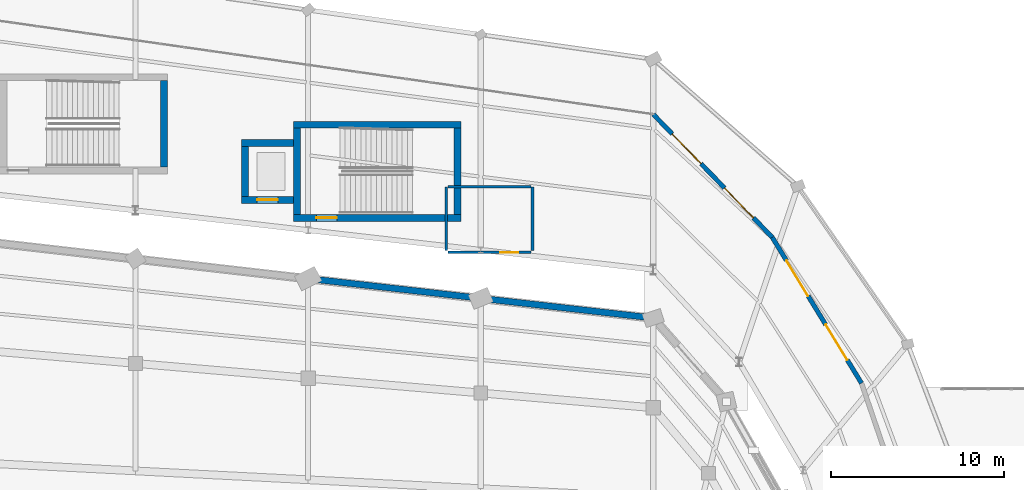
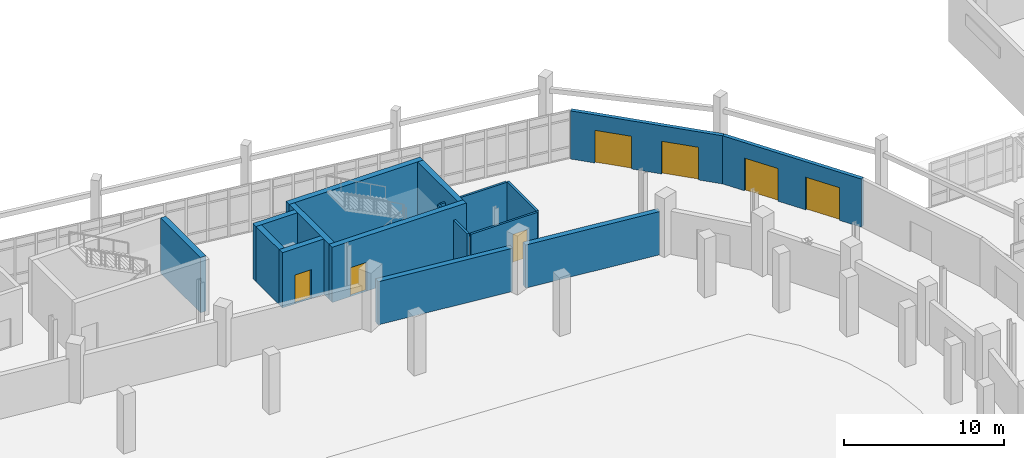
# One storey, part 109 of 122: 16 walls, 7 doors, 7 openings.
"""IFC4 building model written with IfcOpenShell, lengths in metres."""

from ifc_helpers import new_model, si_unit, direction, frame, frame_2d, origin, place, context, subcontext, project, spatial, rectangle, extrude, material, layer, layer_set, type_object, element, fill, save


model = new_model("IFC4")

# Units and contexts
model_context = context("Model", 3, precision=1e-05, world=origin(), true_north=direction((0.0, 1.0)))
body_context = subcontext(model_context, "Body", "Model", "MODEL_VIEW")
ifc_project = project(units=[si_unit("LENGTHUNIT", "METRE"), si_unit("AREAUNIT", "SQUARE_METRE"), si_unit("VOLUMEUNIT", "CUBIC_METRE"), si_unit("PLANEANGLEUNIT", "RADIAN"), si_unit("MASSUNIT", "GRAM", prefix="KILO")], contexts=[model_context])

# Site, building, storey
site_placement = place(None, origin())
site = spatial("IfcSite", under=ifc_project, at=site_placement, CompositionType="ELEMENT")
building_placement = place(site_placement, origin())
building = spatial("IfcBuilding", under=site, at=building_placement, Name="Sohan Crest Arena", CompositionType="ELEMENT")
storey_placement = place(building_placement, origin())
storey = spatial("IfcBuildingStorey", under=building, at=storey_placement, Name="L00", CompositionType="ELEMENT", Elevation=0.0)

# Wall, openings, doors
ifc_material_1 = material(Name="Margalla limestone ashlar envelope wall", Category="masonry")
ifc_layer_1 = layer(ifc_material_1, 0.260009765625, Name="Margalla limestone ashlar envelope wall")
ifc_layer_set_1 = layer_set([ifc_layer_1], Name="Margalla limestone ashlar envelope wall")
wall_type_1 = type_object("IfcWallType", Name="WAL-EW01", PredefinedType="SOLIDWALL", material=ifc_layer_set_1)
wall_1_placement = place(storey_placement, frame((180.06298828125, 97.22607421875, 0.0), z_axis=(0.0, 0.0, 1.0), x_axis=(-0.522040848649, 0.852920484185, 0.0)))
wall_1 = element("IfcWall", 1, at=wall_1_placement, inside=storey, type_object=wall_type_1, Name="External wall EW-085", PredefinedType="SOLIDWALL", context=body_context, shape_type="SweptSolid", body=[
    extrude(rectangle(XDim=9.909423828125, YDim=0.260009765625, at=frame_2d((4.95458984375, 0.0))), origin(), (0.0, 0.0, 1.0), 3.679931640625),
])
opening_1_placement = place(wall_1_placement, frame((1.574951171875, 0.0, 0.0)))
opening_1 = element("IfcOpeningElement", 2, at=opening_1_placement, cuts=wall_1, Name="Opening G17", PredefinedType="OPENING", context=body_context, shape_type="SweptSolid", body=[
    extrude(rectangle(XDim=2.39990234375, YDim=2.5, at=frame_2d((1.199951171875, 1.25))), frame((0.0, 0.139892578125, 0.0), z_axis=(0.0, -1.0, 0.0), x_axis=(1.0, 0.0, 0.0)), (0.0, 0.0, 1.0), 0.280029296875),
])
opening_2_placement = place(wall_1_placement, frame((5.93505859375, 0.0, 0.0)))
opening_2 = element("IfcOpeningElement", 3, at=opening_2_placement, cuts=wall_1, Name="Opening G18", PredefinedType="OPENING", context=body_context, shape_type="SweptSolid", body=[
    extrude(rectangle(XDim=2.39990234375, YDim=2.5, at=frame_2d((1.199951171875, 1.25))), frame((0.0, 0.139892578125, 0.0), z_axis=(0.0, -1.0, 0.0), x_axis=(1.0, 0.0, 0.0)), (0.0, 0.0, 1.0), 0.280029296875),
])
ifc_material_2 = material(Name="Galvanised steel acoustic final exit door", Category="steel")
door_type_1 = type_object("IfcDoorType", Name="DR-G01", OperationType="DOUBLE_DOOR_SINGLE_SWING", PredefinedType="DOOR", material=ifc_material_2)
door_1_placement = place(opening_1_placement, frame((2.39990234375, 0.0, 0.0), z_axis=(0.0, 0.0, 1.0), x_axis=(-1.0, 0.0, 0.0)))
door_1 = element("IfcDoor", 4, at=door_1_placement, inside=storey, type_object=door_type_1, Name="Pedestrian exit gate G17", OperationType="DOUBLE_DOOR_SINGLE_SWING", OverallHeight=2.5, OverallWidth=2.39990234375, PredefinedType="DOOR", context=body_context, shape_type="SweptSolid", body=[
    extrude(rectangle(XDim=2.39990234375, YDim=2.5, at=frame_2d((1.199951171875, 1.25))), frame((0.0, 0.02490234375, 0.0), z_axis=(0.0, -1.0, 0.0), x_axis=(1.0, 0.0, 0.0)), (0.0, 0.0, 1.0), 0.050048828125),
])
fill(opening_1, door_1)
door_2_placement = place(opening_2_placement, frame((2.39990234375, 0.0, 0.0), z_axis=(0.0, 0.0, 1.0), x_axis=(-1.0, 0.0, 0.0)))
door_2 = element("IfcDoor", 5, at=door_2_placement, inside=storey, type_object=door_type_1, Name="Pedestrian exit gate G18", OperationType="DOUBLE_DOOR_SINGLE_SWING", OverallHeight=2.5, OverallWidth=2.39990234375, PredefinedType="DOOR", context=body_context, shape_type="SweptSolid", body=[
    extrude(rectangle(XDim=2.39990234375, YDim=2.5, at=frame_2d((1.199951171875, 1.25))), frame((0.0, 0.02490234375, 0.0), z_axis=(0.0, -1.0, 0.0), x_axis=(1.0, 0.0, 0.0)), (0.0, 0.0, 1.0), 0.050048828125),
])
fill(opening_2, door_2)

wall_2_placement = place(storey_placement, frame((174.889892578125, 105.677978515625, 0.0), z_axis=(0.0, 0.0, 1.0), x_axis=(-0.695294601794, 0.718724854667, 0.0)))
wall_2 = element("IfcWall", 6, at=wall_2_placement, inside=storey, type_object=wall_type_1, Name="External wall EW-086", PredefinedType="SOLIDWALL", context=body_context, shape_type="SweptSolid", body=[
    extrude(rectangle(XDim=9.909423828125, YDim=0.260009765625, at=frame_2d((4.95458984375, 0.0))), origin(), (0.0, 0.0, 1.0), 3.679931640625),
])
opening_3_placement = place(wall_2_placement, frame((1.574951171875, 0.0, 0.0)))
opening_3 = element("IfcOpeningElement", 7, at=opening_3_placement, cuts=wall_2, Name="Opening G19", PredefinedType="OPENING", context=body_context, shape_type="SweptSolid", body=[
    extrude(rectangle(XDim=2.39990234375, YDim=2.5, at=frame_2d((1.199951171875, 1.25))), frame((0.0, 0.139892578125, 0.0), z_axis=(0.0, -1.0, 0.0), x_axis=(1.0, 0.0, 0.0)), (0.0, 0.0, 1.0), 0.280029296875),
])
opening_4_placement = place(wall_2_placement, frame((5.93505859375, 0.0, 0.0)))
opening_4 = element("IfcOpeningElement", 8, at=opening_4_placement, cuts=wall_2, Name="Opening G20", PredefinedType="OPENING", context=body_context, shape_type="SweptSolid", body=[
    extrude(rectangle(XDim=2.39990234375, YDim=2.5, at=frame_2d((1.199951171875, 1.25))), frame((0.0, 0.139892578125, 0.0), z_axis=(0.0, -1.0, 0.0), x_axis=(1.0, 0.0, 0.0)), (0.0, 0.0, 1.0), 0.280029296875),
])
door_3_placement = place(opening_3_placement, frame((2.39990234375, 0.0, 0.0), z_axis=(0.0, 0.0, 1.0), x_axis=(-1.0, 0.0, 0.0)))
door_3 = element("IfcDoor", 9, at=door_3_placement, inside=storey, type_object=door_type_1, Name="Pedestrian exit gate G19", OperationType="DOUBLE_DOOR_SINGLE_SWING", OverallHeight=2.5, OverallWidth=2.39990234375, PredefinedType="DOOR", context=body_context, shape_type="SweptSolid", body=[
    extrude(rectangle(XDim=2.39990234375, YDim=2.5, at=frame_2d((1.199951171875, 1.25))), frame((0.0, 0.02490234375, 0.0), z_axis=(0.0, -1.0, 0.0), x_axis=(1.0, 0.0, 0.0)), (0.0, 0.0, 1.0), 0.050048828125),
])
fill(opening_3, door_3)
door_4_placement = place(opening_4_placement, frame((2.39990234375, 0.0, 0.0), z_axis=(0.0, 0.0, 1.0), x_axis=(-1.0, 0.0, 0.0)))
door_4 = element("IfcDoor", 10, at=door_4_placement, inside=storey, type_object=door_type_1, Name="Pedestrian exit gate G20", OperationType="DOUBLE_DOOR_SINGLE_SWING", OverallHeight=2.5, OverallWidth=2.39990234375, PredefinedType="DOOR", context=body_context, shape_type="SweptSolid", body=[
    extrude(rectangle(XDim=2.39990234375, YDim=2.5, at=frame_2d((1.199951171875, 1.25))), frame((0.0, 0.02490234375, 0.0), z_axis=(0.0, -1.0, 0.0), x_axis=(1.0, 0.0, 0.0)), (0.0, 0.0, 1.0), 0.050048828125),
])
fill(opening_4, door_4)

# Walls
ifc_material_3 = material(Name="Acoustic insulated bowl drum enclosure wall", Category="masonry")
ifc_layer_2 = layer(ifc_material_3, 0.3701171875, Name="Acoustic insulated bowl drum enclosure wall")
ifc_layer_set_2 = layer_set([ifc_layer_2], Name="Acoustic insulated bowl drum enclosure wall")
wall_type_2 = type_object("IfcWallType", Name="WAL-EW05", PredefinedType="SOLIDWALL", material=ifc_layer_set_2)
for number, where, z_axis, x_axis, name in (
    (11, (167.56298828125, 101.050048828125, 0.0), (0.0, 0.0, 1.0), (-0.993532672656, 0.113546591161, 0.0), "Acoustic bowl drum wall BW-L00-28"),
    (12, (157.56298828125, 102.193115234375, 0.0), (0.0, 0.0, 1.0), (-0.993532672656, 0.113546591161, 0.0), "Acoustic bowl drum wall BW-L00-29"),
):
    element("IfcWall", number, at=place(storey_placement, frame(where, z_axis=z_axis, x_axis=x_axis)), inside=storey, type_object=wall_type_2, Name=name, PredefinedType="SOLIDWALL", context=body_context, shape_type="SweptSolid", body=[
        extrude(rectangle(XDim=9.185302734375, YDim=0.3701171875, at=frame_2d((4.5927734375, 0.0))), origin(), (0.0, 0.0, 1.0), 3.300048828125),
    ])
ifc_material_4 = material(Name="Wet-area moisture-resistant masonry partition", Category="masonry")
ifc_layer_3 = layer(ifc_material_4, 0.14990234375, Name="Wet-area moisture-resistant masonry partition")
ifc_layer_set_3 = layer_set([ifc_layer_3], Name="Wet-area moisture-resistant masonry partition")
wall_type_3 = type_object("IfcWallType", Name="WAL-PW03", PredefinedType="PARTITIONING", material=ifc_layer_set_3)
for number, where, z_axis, x_axis, name in (
    (13, (156.0, 104.89990234375, 0.0), (0.0, 0.0, 1.0), (0.0, 1.0, 0.0), "Interior partition wall PW-0838"),
    (14, (161.0, 104.89990234375, 0.0), (0.0, 0.0, 1.0), (0.0, 1.0, 0.0), "Interior partition wall PW-0839"),
):
    element("IfcWall", number, at=place(storey_placement, frame(where, z_axis=z_axis, x_axis=x_axis)), inside=storey, type_object=wall_type_3, Name=name, PredefinedType="PARTITIONING", context=body_context, shape_type="SweptSolid", body=[
        extrude(rectangle(XDim=3.7001953125, YDim=0.14990234375, at=frame_2d((1.85009765625, 0.0))), origin(), (0.0, 0.0, 1.0), 3.219970703125),
    ])
wall_3_placement = place(storey_placement, frame((156.10009765625, 108.60009765625, 0.0), z_axis=(0.0, 0.0, 1.0), x_axis=(1.0, 0.0, 0.0)))
element("IfcWall", 15, at=wall_3_placement, inside=storey, type_object=wall_type_3, Name="Interior partition wall PW-0840", PredefinedType="PARTITIONING", context=body_context, shape_type="SweptSolid", body=[
    extrude(rectangle(XDim=4.7998046875, YDim=0.14990234375, at=frame_2d((2.39990234375, 0.0))), origin(), (0.0, 0.0, 1.0), 3.219970703125),
])

# Wall, opening, door
wall_4_placement = place(storey_placement, frame((156.10009765625, 104.800048828125, 0.0), z_axis=(0.0, 0.0, 1.0), x_axis=(1.0, 0.0, 0.0)))
wall_4 = element("IfcWall", 16, at=wall_4_placement, inside=storey, type_object=wall_type_3, Name="Interior partition wall PW-0841", PredefinedType="PARTITIONING", context=body_context, shape_type="SweptSolid", body=[
    extrude(rectangle(XDim=4.7998046875, YDim=0.14990234375, at=frame_2d((2.39990234375, 0.0))), origin(), (0.0, 0.0, 1.0), 3.219970703125),
])
opening_5_placement = place(wall_4_placement, frame((3.0419921875, 0.0, 0.0)))
opening_5 = element("IfcOpeningElement", 17, at=opening_5_placement, cuts=wall_4, Name="Opening WC-0229", PredefinedType="OPENING", context=body_context, shape_type="SweptSolid", body=[
    extrude(rectangle(XDim=1.02001953125, YDim=2.14990234375, at=frame_2d((0.510009765625, 1.074951171875))), frame((0.0, 0.0849609375, 0.0), z_axis=(0.0, -1.0, 0.0), x_axis=(1.0, 0.0, 0.0)), (0.0, 0.0, 1.0), 0.169921875),
])
ifc_material_5 = material(Name="Accessible toilet and dressing room door", Category="wood")
door_type_2 = type_object("IfcDoorType", Name="DR-ID03", OperationType="NOTDEFINED", PredefinedType="DOOR", material=ifc_material_5)
door_5_placement = place(opening_5_placement, origin())
door_5 = element("IfcDoor", 18, at=door_5_placement, inside=storey, type_object=door_type_2, Name="North accessible WC door WC-0229", OperationType="SINGLE_SWING_RIGHT", OverallHeight=2.14990234375, OverallWidth=1.02001953125, PredefinedType="DOOR", context=body_context, shape_type="SweptSolid", body=[
    extrude(rectangle(XDim=1.02001953125, YDim=2.14990234375, at=frame_2d((0.510009765625, 1.074951171875))), frame((0.0, 0.02490234375, 0.0), z_axis=(0.0, -1.0, 0.0), x_axis=(1.0, 0.0, 0.0)), (0.0, 0.0, 1.0), 0.050048828125),
])
fill(opening_5, door_5)

# Walls
ifc_material_6 = material(Name="Concrete C40/50", Category="concrete")
ifc_layer_4 = layer(ifc_material_6, 0.39990234375, Name="Concrete C40/50")
ifc_layer_set_4 = layer_set([ifc_layer_4], Name="Concrete C40/50")
wall_type_4 = type_object("IfcWallType", Name="WAL-SW03", PredefinedType="SHEAR", material=ifc_layer_set_4)
for number, where, z_axis, x_axis, name in (
    (19, (147.35009765625, 107.0, 0.0), (0.0, 0.0, 1.0), (0.0, 1.0, 0.0), "Core shear wall SW-0452"),
    (20, (156.64990234375, 107.0, 0.0), (0.0, 0.0, 1.0), (0.0, 1.0, 0.0), "Core shear wall SW-0453"),
):
    element("IfcWall", number, at=place(storey_placement, frame(where, z_axis=z_axis, x_axis=x_axis)), inside=storey, type_object=wall_type_4, Name=name, PredefinedType="SHEAR", context=body_context, shape_type="SweptSolid", body=[
        extrude(rectangle(XDim=5.0, YDim=0.39990234375, at=frame_2d((2.5, 0.0))), origin(), (0.0, 0.0, 1.0), 4.22509765625),
    ])

# Wall, opening, door
wall_5_placement = place(storey_placement, frame((147.14990234375, 106.800048828125, 0.0), z_axis=(0.0, 0.0, 1.0), x_axis=(1.0, 0.0, 0.0)))
wall_5 = element("IfcWall", 21, at=wall_5_placement, inside=storey, type_object=wall_type_4, Name="Core shear wall SW-0454", PredefinedType="SHEAR", context=body_context, shape_type="SweptSolid", body=[
    extrude(rectangle(XDim=9.7001953125, YDim=0.39990234375, at=frame_2d((4.85009765625, 0.0))), origin(), (0.0, 0.0, 1.0), 4.22509765625),
])
opening_6_placement = place(wall_5_placement, frame((1.320068359375, 0.0, 0.0)))
opening_6 = element("IfcOpeningElement", 22, at=opening_6_placement, cuts=wall_5, Name="Opening SD-0125", PredefinedType="OPENING", context=body_context, shape_type="SweptSolid", body=[
    extrude(rectangle(XDim=1.199951171875, YDim=2.199951171875, at=frame_2d((0.60009765625, 1.10009765625))), frame((0.0, 0.2099609375, 0.0), z_axis=(0.0, -1.0, 0.0), x_axis=(1.0, 0.0, 0.0)), (0.0, 0.0, 1.0), 0.419921875),
])
ifc_material_7 = material(Name="Fire-rated steel stair and lobby door", Category="steel")
door_type_3 = type_object("IfcDoorType", Name="DR-FD04", OperationType="NOTDEFINED", PredefinedType="DOOR", material=ifc_material_7)
door_6_placement = place(opening_6_placement, frame((1.199951171875, 0.0, 0.0), z_axis=(0.0, 0.0, 1.0), x_axis=(-1.0, 0.0, 0.0)))
door_6 = element("IfcDoor", 23, at=door_6_placement, inside=storey, type_object=door_type_3, Name="Protected stair door SD-0125", OperationType="SINGLE_SWING_RIGHT", OverallHeight=2.199951171875, OverallWidth=1.199951171875, PredefinedType="DOOR", context=body_context, shape_type="SweptSolid", body=[
    extrude(rectangle(XDim=1.199951171875, YDim=2.199951171875, at=frame_2d((0.60009765625, 1.10009765625))), frame((0.0, 0.02490234375, 0.0), z_axis=(0.0, -1.0, 0.0), x_axis=(1.0, 0.0, 0.0)), (0.0, 0.0, 1.0), 0.050048828125),
])
fill(opening_6, door_6)

# Walls
wall_6_placement = place(storey_placement, frame((147.14990234375, 112.199951171875, 0.0), z_axis=(0.0, 0.0, 1.0), x_axis=(1.0, 0.0, 0.0)))
element("IfcWall", 24, at=wall_6_placement, inside=storey, type_object=wall_type_4, Name="Core shear wall SW-0455", PredefinedType="SHEAR", context=body_context, shape_type="SweptSolid", body=[
    extrude(rectangle(XDim=9.7001953125, YDim=0.39990234375, at=frame_2d((4.85009765625, 0.0))), origin(), (0.0, 0.0, 1.0), 4.22509765625),
])
wall_7_placement = place(storey_placement, frame((144.35009765625, 108.050048828125, 0.0), z_axis=(0.0, 0.0, 1.0), x_axis=(0.0, 1.0, 0.0)))
element("IfcWall", 25, at=wall_7_placement, inside=storey, type_object=wall_type_4, Name="Core shear wall SW-0456", PredefinedType="SHEAR", context=body_context, shape_type="SweptSolid", body=[
    extrude(rectangle(XDim=2.89990234375, YDim=0.39990234375, at=frame_2d((1.449951171875, 0.0))), origin(), (0.0, 0.0, 1.0), 4.22509765625),
])

# Wall, opening, door
wall_8_placement = place(storey_placement, frame((144.14990234375, 107.85009765625, 0.0), z_axis=(0.0, 0.0, 1.0), x_axis=(1.0, 0.0, 0.0)))
wall_8 = element("IfcWall", 26, at=wall_8_placement, inside=storey, type_object=wall_type_4, Name="Core shear wall SW-0457", PredefinedType="SHEAR", context=body_context, shape_type="SweptSolid", body=[
    extrude(rectangle(XDim=3.0, YDim=0.39990234375, at=frame_2d((1.5, 0.0))), origin(), (0.0, 0.0, 1.0), 4.22509765625),
])
opening_7_placement = place(wall_8_placement, frame((0.89990234375, 0.0, 0.0)))
opening_7 = element("IfcOpeningElement", 27, at=opening_7_placement, cuts=wall_8, Name="Opening LD-LP08-L00", PredefinedType="OPENING", context=body_context, shape_type="SweptSolid", body=[
    extrude(rectangle(XDim=1.199951171875, YDim=2.199951171875, at=frame_2d((0.60009765625, 1.10009765625))), frame((0.0, 0.2099609375, 0.0), z_axis=(0.0, -1.0, 0.0), x_axis=(1.0, 0.0, 0.0)), (0.0, 0.0, 1.0), 0.419921875),
])
ifc_material_8 = material(Name="Stainless steel passenger lift landing door", Category="steel")
door_type_4 = type_object("IfcDoorType", Name="DR-LD02", OperationType="SLIDING_TO_LEFT", PredefinedType="DOOR", material=ifc_material_8)
door_7_placement = place(opening_7_placement, origin())
door_7 = element("IfcDoor", 28, at=door_7_placement, inside=storey, type_object=door_type_4, Name="Sliding lift landing door LD-LP08-L00", OperationType="SLIDING_TO_LEFT", OverallHeight=2.199951171875, OverallWidth=1.199951171875, PredefinedType="DOOR", context=body_context, shape_type="SweptSolid", body=[
    extrude(rectangle(XDim=1.199951171875, YDim=2.199951171875, at=frame_2d((0.60009765625, 1.10009765625))), frame((0.0, 0.02490234375, 0.0), z_axis=(0.0, -1.0, 0.0), x_axis=(1.0, 0.0, 0.0)), (0.0, 0.0, 1.0), 0.050048828125),
])
fill(opening_7, door_7)

# Walls
wall_9_placement = place(storey_placement, frame((144.14990234375, 111.14990234375, 0.0), z_axis=(0.0, 0.0, 1.0), x_axis=(1.0, 0.0, 0.0)))
element("IfcWall", 29, at=wall_9_placement, inside=storey, type_object=wall_type_4, Name="Core shear wall SW-0458", PredefinedType="SHEAR", context=body_context, shape_type="SweptSolid", body=[
    extrude(rectangle(XDim=3.0, YDim=0.39990234375, at=frame_2d((1.5, 0.0))), origin(), (0.0, 0.0, 1.0), 4.22509765625),
])
wall_10_placement = place(storey_placement, frame((139.64990234375, 109.75, 0.0), z_axis=(0.0, 0.0, 1.0), x_axis=(0.0, 1.0, 0.0)))
element("IfcWall", 30, at=wall_10_placement, inside=storey, type_object=wall_type_4, Name="Core shear wall SW-0810", PredefinedType="SHEAR", context=body_context, shape_type="SweptSolid", body=[
    extrude(rectangle(XDim=5.0, YDim=0.39990234375, at=frame_2d((2.5, 0.0))), origin(), (0.0, 0.0, 1.0), 4.22509765625),
])

save(model, "model.ifc")
